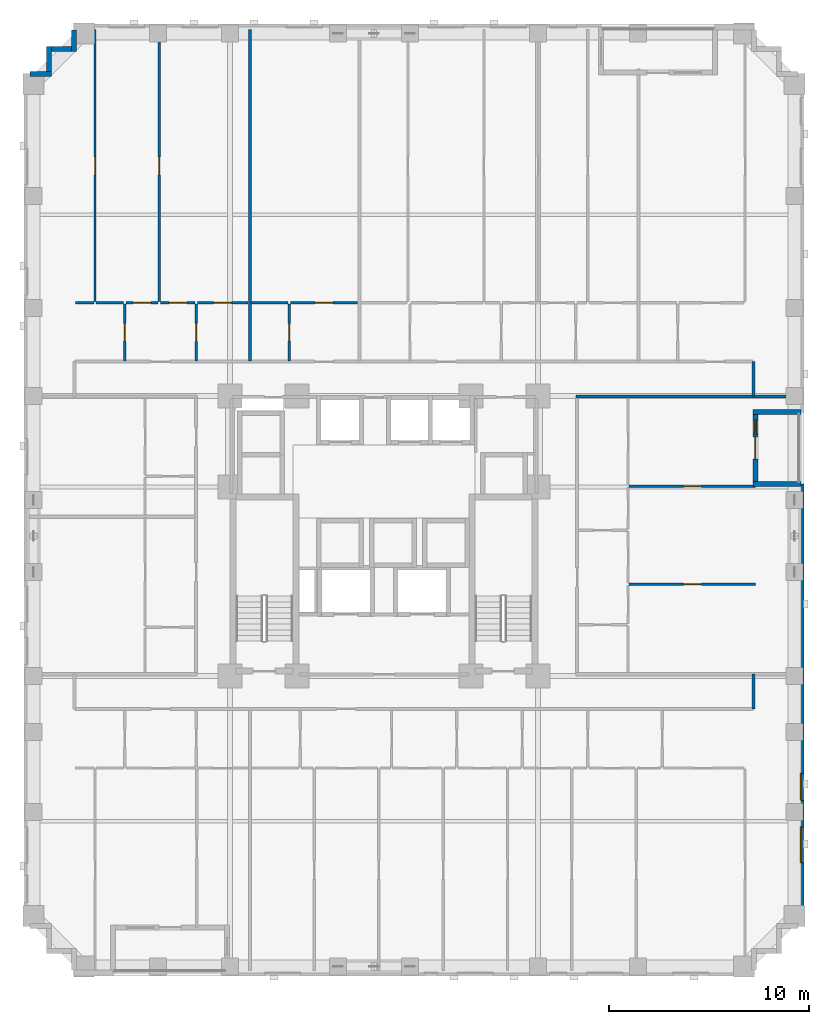
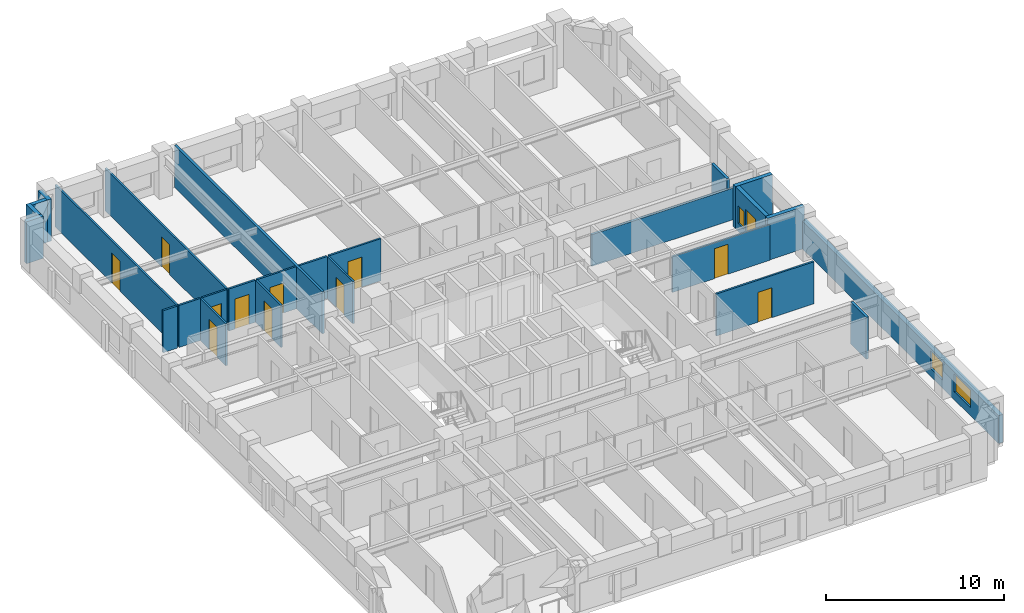
# One storey, part 7 of 14: 26 walls, 12 doors, 3 windows, 15 openings.
"""IFC4 building model written with IfcOpenShell, lengths in metres."""

from ifc_helpers import new_model, si_unit, derived_unit, direction, frame, frame_2d, origin, place, context, subcontext, project, spatial, rectangle, extrude, material, layer, layer_set, type_object, element, fill, save


model = new_model("IFC4")

# Units and contexts
model_context = context("Model", 3, precision=1e-05, world=origin(), true_north=direction((0.0, 1.0)))
body_context = subcontext(model_context, "Body", "Model", "MODEL_VIEW")
ifc_project = project(units=[si_unit("LENGTHUNIT", "METRE"), si_unit("AREAUNIT", "SQUARE_METRE"), si_unit("VOLUMEUNIT", "CUBIC_METRE"), si_unit("PLANEANGLEUNIT", "RADIAN"), si_unit("MASSUNIT", "GRAM", prefix="KILO"), derived_unit("THERMALTRANSMITTANCEUNIT", [(si_unit("MASSUNIT", "GRAM", prefix="KILO"), 1), (si_unit("TIMEUNIT", "SECOND"), -3), (si_unit("THERMODYNAMICTEMPERATUREUNIT", "KELVIN"), -1)])], contexts=[model_context])

# Site, building, storey
site_placement = place(None, origin())
site = spatial("IfcSite", under=ifc_project, at=site_placement, CompositionType="ELEMENT")
building_placement = place(site_placement, origin())
building = spatial("IfcBuilding", under=site, at=building_placement, Name="Korrvale Station Residences", CompositionType="ELEMENT")
storey_placement = place(building_placement, frame((0.0, 0.0, 67.39990234375)))
storey = spatial("IfcBuildingStorey", under=building, at=storey_placement, Name="L18", CompositionType="ELEMENT", Elevation=67.39990234375)

# Wall
ifc_material_1 = material(Name="Precast concrete C45/55", Category="concrete")
ifc_layer_1 = layer(ifc_material_1, 0.260009765625, Name="Precast concrete C45/55")
ifc_layer_set_1 = layer_set([ifc_layer_1], Name="Precast concrete C45/55")
wall_type_1 = type_object("IfcWallType", Name="WAL-EXT-LOG260", PredefinedType="SOLIDWALL", material=ifc_layer_set_1)
wall_1_placement = place(storey_placement, frame((46.340087890625, 28.199951171875, 0.0), z_axis=(0.0, 0.0, 1.0), x_axis=(-1.0, 0.0, 0.0)))
element("IfcWall", 1, at=wall_1_placement, inside=storey, type_object=wall_type_1, Name="L18 Recessed Loggia Wall BAL-L18-E1-L", PredefinedType="SOLIDWALL", context=body_context, shape_type="SweptSolid", body=[
    extrude(rectangle(XDim=2.400146484375, YDim=0.260009765625, at=frame_2d((1.2001953125, 0.0))), origin(), (0.0, 0.0, 1.0), 2.880126953125),
])

# Wall, openings, door, window
wall_2_placement = place(storey_placement, frame((44.070068359375, 28.06591796875, 0.0), z_axis=(0.0, 0.0, 1.0), x_axis=(0.0, -1.0, 0.0)))
wall_2 = element("IfcWall", 2, at=wall_2_placement, inside=storey, type_object=wall_type_1, Name="L18 Recessed Loggia Wall BAL-L18-E1-B", PredefinedType="SOLIDWALL", context=body_context, shape_type="SweptSolid", body=[
    extrude(rectangle(XDim=3.33203125, YDim=0.260009765625, at=frame_2d((1.666015625, 0.0))), origin(), (0.0, 0.0, 1.0), 2.880126953125),
])
opening_1_placement = place(wall_2_placement, frame((1.115966796875, 0.0, 0.0)))
opening_1 = element("IfcOpeningElement", 3, at=opening_1_placement, cuts=wall_2, Name="Opening BD-01", PredefinedType="OPENING", context=body_context, shape_type="SweptSolid", body=[
    extrude(rectangle(XDim=1.10009765625, YDim=2.0, at=frame_2d((0.550048828125, 1.0))), frame((0.0, 0.14013671875, 0.0), z_axis=(0.0, -1.0, 0.0), x_axis=(1.0, 0.0, 0.0)), (0.0, 0.0, 1.0), 0.280029296875),
])
opening_2_placement = place(wall_2_placement, frame((0.27587890625, 0.0, 0.550048828125)))
opening_2 = element("IfcOpeningElement", 4, at=opening_2_placement, cuts=wall_2, Name="Opening W-12", PredefinedType="OPENING", context=body_context, shape_type="SweptSolid", body=[
    extrude(rectangle(XDim=0.679931640625, YDim=1.199951171875, at=frame_2d((0.33984375, 0.60009765625))), frame((0.0, 0.14013671875, 0.0), z_axis=(0.0, -1.0, 0.0), x_axis=(1.0, 0.0, 0.0)), (0.0, 0.0, 1.0), 0.280029296875),
])
ifc_material_2 = material(Name="Exterior thermally broken aluminium glazed balcony door", Category="aluminium")
door_type_1 = type_object("IfcDoorType", Name="DR-EXT-BAL", OperationType="NOTDEFINED", PredefinedType="DOOR", material=ifc_material_2)
door_1_placement = place(opening_1_placement, origin())
door_1 = element("IfcDoor", 5, at=door_1_placement, inside=storey, type_object=door_type_1, Name="L18 Loggia Balcony Door BAL-L18-E1", OperationType="SINGLE_SWING_RIGHT", OverallHeight=2.0, OverallWidth=1.10009765625, PredefinedType="DOOR", context=body_context, shape_type="SweptSolid", body=[
    extrude(rectangle(XDim=1.10009765625, YDim=2.0, at=frame_2d((0.550048828125, 1.0))), frame((0.0, 0.02490234375, 0.0), z_axis=(0.0, -1.0, 0.0), x_axis=(1.0, 0.0, 0.0)), (0.0, 0.0, 1.0), 0.050048828125),
])
fill(opening_1, door_1)
ifc_material_3 = material(Name="Thermally broken aluminium frame with triple low-e glazing", Category="aluminium")
window_type_1 = type_object("IfcWindowType", Name="WIN-W12", PartitioningType="SINGLE_PANEL", PredefinedType="WINDOW", material=ifc_material_3)
window_1_placement = place(opening_2_placement, origin())
window_1 = element("IfcWindow", 6, at=window_1_placement, inside=storey, type_object=window_type_1, Name="L18 Punched Window 28", OverallHeight=1.199951171875, OverallWidth=0.679931640625, PartitioningType="SINGLE_PANEL", PredefinedType="WINDOW", context=body_context, shape_type="SweptSolid", body=[
    extrude(rectangle(XDim=0.679931640625, YDim=1.199951171875, at=frame_2d((0.33984375, 0.60009765625))), frame((0.0, 0.030029296875, 0.0), z_axis=(0.0, -1.0, 0.0), x_axis=(1.0, 0.0, 0.0)), (0.0, 0.0, 1.0), 0.06005859375),
])
fill(opening_2, window_1)

# Walls
wall_3_placement = place(storey_placement, frame((43.93994140625, 24.60009765625, 0.0), z_axis=(0.0, 0.0, 1.0), x_axis=(1.0, 0.0, 0.0)))
element("IfcWall", 7, at=wall_3_placement, inside=storey, type_object=wall_type_1, Name="L18 Recessed Loggia Wall BAL-L18-E1-R", PredefinedType="SOLIDWALL", context=body_context, shape_type="SweptSolid", body=[
    extrude(rectangle(XDim=2.400146484375, YDim=0.260009765625, at=frame_2d((1.2001953125, 0.0))), origin(), (0.0, 0.0, 1.0), 2.880126953125),
])
wall_4_placement = place(storey_placement, frame((7.802001953125, 45.10009765625, 0.0), z_axis=(0.0, 0.0, 1.0), x_axis=(1.0, 0.0, 0.0)))
element("IfcWall", 8, at=wall_4_placement, inside=storey, type_object=wall_type_1, Name="L18 Serrated Corner Precast Step NW-1", PredefinedType="SOLIDWALL", context=body_context, shape_type="SweptSolid", body=[
    extrude(rectangle(XDim=1.077880859375, YDim=0.260009765625, at=frame_2d((0.5390625, 0.0))), origin(), (0.0, 0.0, 1.0), 2.880126953125),
])
wall_5_placement = place(storey_placement, frame((8.75, 45.23193359375, 0.0), z_axis=(0.0, 0.0, 1.0), x_axis=(0.0, 1.0, 0.0)))
element("IfcWall", 9, at=wall_5_placement, inside=storey, type_object=wall_type_1, Name="L18 Serrated Corner Precast Step NW-2", PredefinedType="SOLIDWALL", context=body_context, shape_type="SweptSolid", body=[
    extrude(rectangle(XDim=1.248046875, YDim=0.260009765625, at=frame_2d((0.6240234375, 0.0))), origin(), (0.0, 0.0, 1.0), 2.880126953125),
])
wall_6_placement = place(storey_placement, frame((8.882080078125, 46.35009765625, 0.0), z_axis=(0.0, 0.0, 1.0), x_axis=(1.0, 0.0, 0.0)))
element("IfcWall", 10, at=wall_6_placement, inside=storey, type_object=wall_type_1, Name="L18 Serrated Corner Precast Step NW-3", PredefinedType="SOLIDWALL", context=body_context, shape_type="SweptSolid", body=[
    extrude(rectangle(XDim=0.98583984375, YDim=0.260009765625, at=frame_2d((0.492919921875, 0.0))), origin(), (0.0, 0.0, 1.0), 2.880126953125),
])
wall_7_placement = place(storey_placement, frame((10.0, 46.219970703125, 0.0), z_axis=(0.0, 0.0, 1.0), x_axis=(0.0, 1.0, 0.0)))
element("IfcWall", 11, at=wall_7_placement, inside=storey, type_object=wall_type_1, Name="L18 Serrated Corner Precast Step NW-4", PredefinedType="SOLIDWALL", context=body_context, shape_type="SweptSolid", body=[
    extrude(rectangle(XDim=1.078125, YDim=0.260009765625, at=frame_2d((0.5390625, 0.0))), origin(), (0.0, 0.0, 1.0), 2.880126953125),
])

# Wall, openings, windows
ifc_layer_2 = layer(ifc_material_1, 0.300048828125, Name="Precast concrete C45/55")
ifc_layer_set_2 = layer_set([ifc_layer_2], Name="Precast concrete C45/55")
wall_type_2 = type_object("IfcWallType", Name="WAL-EXT-PC300", PredefinedType="SOLIDWALL", material=ifc_layer_set_2)
wall_8_placement = place(storey_placement, frame((46.35009765625, 24.60009765625, 0.0), z_axis=(0.0, 0.0, 1.0), x_axis=(0.0, -1.0, 0.0)))
wall_8 = element("IfcWall", 12, at=wall_8_placement, inside=storey, type_object=wall_type_2, Name="L18 East Exterior Precast Wall 2", PredefinedType="SOLIDWALL", context=body_context, shape_type="SweptSolid", body=[
    extrude(rectangle(XDim=22.10009765625, YDim=0.300048828125, at=frame_2d((11.050048828125, 0.0))), origin(), (0.0, 0.0, 1.0), 1.9150390625),
])
opening_3_placement = place(wall_8_placement, frame((17.14111328125, 0.0, 0.550048828125)))
opening_3 = element("IfcOpeningElement", 13, at=opening_3_placement, cuts=wall_8, Name="Opening W-09", PredefinedType="OPENING", context=body_context, shape_type="SweptSolid", body=[
    extrude(rectangle(XDim=1.800048828125, YDim=1.199951171875, at=frame_2d((0.89990234375, 0.60009765625))), frame((0.0, 0.16015625, 0.0), z_axis=(0.0, -1.0, 0.0), x_axis=(1.0, 0.0, 0.0)), (0.0, 0.0, 1.0), 0.320068359375),
])
opening_4_placement = place(wall_8_placement, frame((14.465087890625, 0.0, 0.550048828125)))
opening_4 = element("IfcOpeningElement", 14, at=opening_4_placement, cuts=wall_8, Name="Opening W-10", PredefinedType="OPENING", context=body_context, shape_type="SweptSolid", body=[
    extrude(rectangle(XDim=1.35009765625, YDim=1.199951171875, at=frame_2d((0.675048828125, 0.60009765625))), frame((0.0, 0.16015625, 0.0), z_axis=(0.0, -1.0, 0.0), x_axis=(1.0, 0.0, 0.0)), (0.0, 0.0, 1.0), 0.320068359375),
])
window_type_2 = type_object("IfcWindowType", Name="WIN-W09", PartitioningType="DOUBLE_PANEL_VERTICAL", PredefinedType="WINDOW", material=ifc_material_3)
window_2_placement = place(opening_3_placement, origin())
window_2 = element("IfcWindow", 15, at=window_2_placement, inside=storey, type_object=window_type_2, Name="L18 Punched Window 11", OverallHeight=1.199951171875, OverallWidth=1.800048828125, PartitioningType="DOUBLE_PANEL_VERTICAL", PredefinedType="WINDOW", context=body_context, shape_type="SweptSolid", body=[
    extrude(rectangle(XDim=1.800048828125, YDim=1.199951171875, at=frame_2d((0.89990234375, 0.60009765625))), frame((0.0, 0.030029296875, 0.0), z_axis=(0.0, -1.0, 0.0), x_axis=(1.0, 0.0, 0.0)), (0.0, 0.0, 1.0), 0.06005859375),
])
fill(opening_3, window_2)
window_type_3 = type_object("IfcWindowType", Name="WIN-W10", PartitioningType="SINGLE_PANEL", PredefinedType="WINDOW", material=ifc_material_3)
window_3_placement = place(opening_4_placement, origin())
window_3 = element("IfcWindow", 16, at=window_3_placement, inside=storey, type_object=window_type_3, Name="L18 Punched Window 12", OverallHeight=1.199951171875, OverallWidth=1.35009765625, PartitioningType="SINGLE_PANEL", PredefinedType="WINDOW", context=body_context, shape_type="SweptSolid", body=[
    extrude(rectangle(XDim=1.35009765625, YDim=1.199951171875, at=frame_2d((0.675048828125, 0.60009765625))), frame((0.0, 0.030029296875, 0.0), z_axis=(0.0, -1.0, 0.0), x_axis=(1.0, 0.0, 0.0)), (0.0, 0.0, 1.0), 0.06005859375),
])
fill(opening_4, window_3)

# Wall, opening, door
ifc_material_4 = material(Name="Acoustic steel-stud gypsum board partition", Category="steel")
ifc_layer_3 = layer(ifc_material_4, 0.1201171875, Name="Acoustic steel-stud gypsum board partition")
ifc_layer_set_3 = layer_set([ifc_layer_3], Name="Acoustic steel-stud gypsum board partition")
wall_type_3 = type_object("IfcWallType", Name="WAL-PART-125", PredefinedType="PARTITIONING", material=ifc_layer_set_3)
wall_9_placement = place(storey_placement, frame((12.5400390625, 30.760009765625, 0.0), z_axis=(0.0, 0.0, 1.0), x_axis=(0.0, 1.0, 0.0)))
wall_9 = element("IfcWall", 17, at=wall_9_placement, inside=storey, type_object=wall_type_3, Name="L18 Suite Partition U03-V01", PredefinedType="PARTITIONING", context=body_context, shape_type="SweptSolid", body=[
    extrude(rectangle(XDim=2.85009765625, YDim=0.1201171875, at=frame_2d((1.425048828125, 0.0))), origin(), (0.0, 0.0, 1.0), 2.880126953125),
])
opening_5_placement = place(wall_9_placement, frame((0.9951171875, 0.0, 0.0)))
opening_5 = element("IfcOpeningElement", 18, at=opening_5_placement, cuts=wall_9, Name="Opening DB-860", PredefinedType="OPENING", context=body_context, shape_type="SweptSolid", body=[
    extrude(rectangle(XDim=0.860107421875, YDim=2.050048828125, at=frame_2d((0.43017578125, 1.02490234375))), frame((0.0, 0.070068359375, 0.0), z_axis=(0.0, -1.0, 0.0), x_axis=(1.0, 0.0, 0.0)), (0.0, 0.0, 1.0), 0.14013671875),
])
ifc_material_5 = material(Name="Moisture-resistant solid-core bathroom door", Category="timber")
door_type_2 = type_object("IfcDoorType", Name="DR-BATH-860", OperationType="NOTDEFINED", PredefinedType="DOOR", material=ifc_material_5)
door_2_placement = place(opening_5_placement, origin())
door_2 = element("IfcDoor", 19, at=door_2_placement, inside=storey, type_object=door_type_2, Name="L18 Studio Apartment L18-U03 Bathroom Door", OperationType="SINGLE_SWING_LEFT", OverallHeight=2.050048828125, OverallWidth=0.860107421875, PredefinedType="DOOR", context=body_context, shape_type="SweptSolid", body=[
    extrude(rectangle(XDim=0.860107421875, YDim=2.050048828125, at=frame_2d((0.43017578125, 1.02490234375))), frame((0.0, 0.02490234375, 0.0), z_axis=(0.0, -1.0, 0.0), x_axis=(1.0, 0.0, 0.0)), (0.0, 0.0, 1.0), 0.050048828125),
])
fill(opening_5, door_2)

# Walls
wall_10_placement = place(storey_placement, frame((10.080078125, 33.669921875, 0.0), z_axis=(0.0, 0.0, 1.0), x_axis=(1.0, 0.0, 0.0)))
element("IfcWall", 20, at=wall_10_placement, inside=storey, type_object=wall_type_3, Name="L18 Suite Partition U03-H03", PredefinedType="PARTITIONING", context=body_context, shape_type="SweptSolid", body=[
    extrude(rectangle(XDim=0.909912109375, YDim=0.1201171875, at=frame_2d((0.455078125, 0.0))), origin(), (0.0, 0.0, 1.0), 2.880126953125),
])
wall_11_placement = place(storey_placement, frame((11.110107421875, 33.669921875, 0.0), z_axis=(0.0, 0.0, 1.0), x_axis=(1.0, 0.0, 0.0)))
element("IfcWall", 21, at=wall_11_placement, inside=storey, type_object=wall_type_3, Name="L18 Suite Partition U03-H04", PredefinedType="PARTITIONING", context=body_context, shape_type="SweptSolid", body=[
    extrude(rectangle(XDim=1.369873046875, YDim=0.1201171875, at=frame_2d((0.68505859375, 0.0))), origin(), (0.0, 0.0, 1.0), 2.880126953125),
])

# Wall, opening, door
wall_12_placement = place(storey_placement, frame((16.110107421875, 30.760009765625, 0.0), z_axis=(0.0, 0.0, 1.0), x_axis=(0.0, 1.0, 0.0)))
wall_12 = element("IfcWall", 22, at=wall_12_placement, inside=storey, type_object=wall_type_3, Name="L18 Suite Partition U03-V12", PredefinedType="PARTITIONING", context=body_context, shape_type="SweptSolid", body=[
    extrude(rectangle(XDim=2.85009765625, YDim=0.1201171875, at=frame_2d((1.425048828125, 0.0))), origin(), (0.0, 0.0, 1.0), 2.880126953125),
])
opening_6_placement = place(wall_12_placement, frame((0.97509765625, 0.0, 0.0)))
opening_6 = element("IfcOpeningElement", 23, at=opening_6_placement, cuts=wall_12, Name="Opening DI-900", PredefinedType="OPENING", context=body_context, shape_type="SweptSolid", body=[
    extrude(rectangle(XDim=0.89990234375, YDim=2.050048828125, at=frame_2d((0.449951171875, 1.02490234375))), frame((0.0, 0.070068359375, 0.0), z_axis=(0.0, -1.0, 0.0), x_axis=(1.0, 0.0, 0.0)), (0.0, 0.0, 1.0), 0.14013671875),
])
ifc_material_6 = material(Name="Painted solid-core timber interior room door", Category="wood")
door_type_3 = type_object("IfcDoorType", Name="DR-INT-900", OperationType="NOTDEFINED", PredefinedType="DOOR", material=ifc_material_6)
door_3_placement = place(opening_6_placement, origin())
door_3 = element("IfcDoor", 24, at=door_3_placement, inside=storey, type_object=door_type_3, Name="L18 Studio Apartment L18-U03 Kitchen Door", OperationType="SINGLE_SWING_RIGHT", OverallHeight=2.050048828125, OverallWidth=0.89990234375, PredefinedType="DOOR", context=body_context, shape_type="SweptSolid", body=[
    extrude(rectangle(XDim=0.89990234375, YDim=2.050048828125, at=frame_2d((0.449951171875, 1.02490234375))), frame((0.0, 0.02490234375, 0.0), z_axis=(0.0, -1.0, 0.0), x_axis=(1.0, 0.0, 0.0)), (0.0, 0.0, 1.0), 0.050048828125),
])
fill(opening_6, door_3)

wall_13_placement = place(storey_placement, frame((12.60009765625, 33.669921875, 0.0), z_axis=(0.0, 0.0, 1.0), x_axis=(1.0, 0.0, 0.0)))
wall_13 = element("IfcWall", 25, at=wall_13_placement, inside=storey, type_object=wall_type_3, Name="L18 Suite Partition U03-H14", PredefinedType="PARTITIONING", context=body_context, shape_type="SweptSolid", body=[
    extrude(rectangle(XDim=1.60986328125, YDim=0.1201171875, at=frame_2d((0.804931640625, 0.0))), origin(), (0.0, 0.0, 1.0), 2.880126953125),
])
opening_7_placement = place(wall_13_placement, frame((0.35498046875, 0.0, 0.0)))
opening_7 = element("IfcOpeningElement", 26, at=opening_7_placement, cuts=wall_13, Name="Opening DI-900", PredefinedType="OPENING", context=body_context, shape_type="SweptSolid", body=[
    extrude(rectangle(XDim=0.89990234375, YDim=2.050048828125, at=frame_2d((0.449951171875, 1.02490234375))), frame((0.0, 0.070068359375, 0.0), z_axis=(0.0, -1.0, 0.0), x_axis=(1.0, 0.0, 0.0)), (0.0, 0.0, 1.0), 0.14013671875),
])
door_4_placement = place(opening_7_placement, origin())
door_4 = element("IfcDoor", 27, at=door_4_placement, inside=storey, type_object=door_type_3, Name="L18 Studio Apartment L18-U03 Kitchen Door", OperationType="SINGLE_SWING_LEFT", OverallHeight=2.050048828125, OverallWidth=0.89990234375, PredefinedType="DOOR", context=body_context, shape_type="SweptSolid", body=[
    extrude(rectangle(XDim=0.89990234375, YDim=2.050048828125, at=frame_2d((0.449951171875, 1.02490234375))), frame((0.0, 0.02490234375, 0.0), z_axis=(0.0, -1.0, 0.0), x_axis=(1.0, 0.0, 0.0)), (0.0, 0.0, 1.0), 0.050048828125),
])
fill(opening_7, door_4)

wall_14_placement = place(storey_placement, frame((14.330078125, 33.669921875, 0.0), z_axis=(0.0, 0.0, 1.0), x_axis=(1.0, 0.0, 0.0)))
wall_14 = element("IfcWall", 28, at=wall_14_placement, inside=storey, type_object=wall_type_3, Name="L18 Suite Partition U03-H15", PredefinedType="PARTITIONING", context=body_context, shape_type="SweptSolid", body=[
    extrude(rectangle(XDim=1.719970703125, YDim=0.1201171875, at=frame_2d((0.85986328125, 0.0))), origin(), (0.0, 0.0, 1.0), 2.880126953125),
])
opening_8_placement = place(wall_14_placement, frame((0.409912109375, 0.0, 0.0)))
opening_8 = element("IfcOpeningElement", 29, at=opening_8_placement, cuts=wall_14, Name="Opening DI-900", PredefinedType="OPENING", context=body_context, shape_type="SweptSolid", body=[
    extrude(rectangle(XDim=0.89990234375, YDim=2.050048828125, at=frame_2d((0.449951171875, 1.02490234375))), frame((0.0, 0.070068359375, 0.0), z_axis=(0.0, -1.0, 0.0), x_axis=(1.0, 0.0, 0.0)), (0.0, 0.0, 1.0), 0.14013671875),
])
door_5_placement = place(opening_8_placement, origin())
door_5 = element("IfcDoor", 30, at=door_5_placement, inside=storey, type_object=door_type_3, Name="L18 Studio Apartment L18-U03 Kitchen Door", OperationType="SINGLE_SWING_RIGHT", OverallHeight=2.050048828125, OverallWidth=0.89990234375, PredefinedType="DOOR", context=body_context, shape_type="SweptSolid", body=[
    extrude(rectangle(XDim=0.89990234375, YDim=2.050048828125, at=frame_2d((0.449951171875, 1.02490234375))), frame((0.0, 0.02490234375, 0.0), z_axis=(0.0, -1.0, 0.0), x_axis=(1.0, 0.0, 0.0)), (0.0, 0.0, 1.0), 0.050048828125),
])
fill(opening_8, door_5)

wall_15_placement = place(storey_placement, frame((16.169921875, 33.669921875, 0.0), z_axis=(0.0, 0.0, 1.0), x_axis=(1.0, 0.0, 0.0)))
wall_15 = element("IfcWall", 31, at=wall_15_placement, inside=storey, type_object=wall_type_3, Name="L18 Suite Partition U03-H25", PredefinedType="PARTITIONING", context=body_context, shape_type="SweptSolid", body=[
    extrude(rectangle(XDim=2.526123046875, YDim=0.1201171875, at=frame_2d((1.26318359375, 0.0))), origin(), (0.0, 0.0, 1.0), 2.880126953125),
])
opening_9_placement = place(wall_15_placement, frame((0.81298828125, 0.0, 0.0)))
opening_9 = element("IfcOpeningElement", 32, at=opening_9_placement, cuts=wall_15, Name="Opening DI-900", PredefinedType="OPENING", context=body_context, shape_type="SweptSolid", body=[
    extrude(rectangle(XDim=0.89990234375, YDim=2.050048828125, at=frame_2d((0.449951171875, 1.02490234375))), frame((0.0, 0.070068359375, 0.0), z_axis=(0.0, -1.0, 0.0), x_axis=(1.0, 0.0, 0.0)), (0.0, 0.0, 1.0), 0.14013671875),
])
door_6_placement = place(opening_9_placement, origin())
door_6 = element("IfcDoor", 33, at=door_6_placement, inside=storey, type_object=door_type_3, Name="L18 Studio Apartment L18-U03 Utility and Laundry Room Door", OperationType="SINGLE_SWING_LEFT", OverallHeight=2.050048828125, OverallWidth=0.89990234375, PredefinedType="DOOR", context=body_context, shape_type="SweptSolid", body=[
    extrude(rectangle(XDim=0.89990234375, YDim=2.050048828125, at=frame_2d((0.449951171875, 1.02490234375))), frame((0.0, 0.02490234375, 0.0), z_axis=(0.0, -1.0, 0.0), x_axis=(1.0, 0.0, 0.0)), (0.0, 0.0, 1.0), 0.050048828125),
])
fill(opening_9, door_6)

wall_16_placement = place(storey_placement, frame((11.050048828125, 33.72998046875, 0.0), z_axis=(0.0, 0.0, 1.0), x_axis=(0.0, 1.0, 0.0)))
wall_16 = element("IfcWall", 34, at=wall_16_placement, inside=storey, type_object=wall_type_3, Name="L18 Suite Partition U03-V34", PredefinedType="PARTITIONING", context=body_context, shape_type="SweptSolid", body=[
    extrude(rectangle(XDim=13.590087890625, YDim=0.1201171875, at=frame_2d((6.794921875, 0.0))), origin(), (0.0, 0.0, 1.0), 2.880126953125),
])
opening_10_placement = place(wall_16_placement, frame((6.330078125, 0.0, 0.0)))
opening_10 = element("IfcOpeningElement", 35, at=opening_10_placement, cuts=wall_16, Name="Opening DI-900", PredefinedType="OPENING", context=body_context, shape_type="SweptSolid", body=[
    extrude(rectangle(XDim=0.89990234375, YDim=2.050048828125, at=frame_2d((0.449951171875, 1.02490234375))), frame((0.0, 0.070068359375, 0.0), z_axis=(0.0, -1.0, 0.0), x_axis=(1.0, 0.0, 0.0)), (0.0, 0.0, 1.0), 0.14013671875),
])
door_7_placement = place(opening_10_placement, origin())
door_7 = element("IfcDoor", 36, at=door_7_placement, inside=storey, type_object=door_type_3, Name="L18 Studio Apartment L18-U03 Walk-In Wardrobe Door", OperationType="SINGLE_SWING_RIGHT", OverallHeight=2.050048828125, OverallWidth=0.89990234375, PredefinedType="DOOR", context=body_context, shape_type="SweptSolid", body=[
    extrude(rectangle(XDim=0.89990234375, YDim=2.050048828125, at=frame_2d((0.449951171875, 1.02490234375))), frame((0.0, 0.02490234375, 0.0), z_axis=(0.0, -1.0, 0.0), x_axis=(1.0, 0.0, 0.0)), (0.0, 0.0, 1.0), 0.050048828125),
])
fill(opening_10, door_7)

wall_17_placement = place(storey_placement, frame((14.27001953125, 33.72998046875, 0.0), z_axis=(0.0, 0.0, 1.0), x_axis=(0.0, 1.0, 0.0)))
wall_17 = element("IfcWall", 37, at=wall_17_placement, inside=storey, type_object=wall_type_3, Name="L18 Suite Partition U03-V45", PredefinedType="PARTITIONING", context=body_context, shape_type="SweptSolid", body=[
    extrude(rectangle(XDim=13.590087890625, YDim=0.1201171875, at=frame_2d((6.794921875, 0.0))), origin(), (0.0, 0.0, 1.0), 2.880126953125),
])
opening_11_placement = place(wall_17_placement, frame((6.330078125, 0.0, 0.0)))
opening_11 = element("IfcOpeningElement", 38, at=opening_11_placement, cuts=wall_17, Name="Opening DI-900", PredefinedType="OPENING", context=body_context, shape_type="SweptSolid", body=[
    extrude(rectangle(XDim=0.89990234375, YDim=2.050048828125, at=frame_2d((0.449951171875, 1.02490234375))), frame((0.0, 0.070068359375, 0.0), z_axis=(0.0, -1.0, 0.0), x_axis=(1.0, 0.0, 0.0)), (0.0, 0.0, 1.0), 0.14013671875),
])
door_8_placement = place(opening_11_placement, origin())
door_8 = element("IfcDoor", 39, at=door_8_placement, inside=storey, type_object=door_type_3, Name="L18 Studio Apartment L18-U03 Walk-In Wardrobe Door", OperationType="SINGLE_SWING_LEFT", OverallHeight=2.050048828125, OverallWidth=0.89990234375, PredefinedType="DOOR", context=body_context, shape_type="SweptSolid", body=[
    extrude(rectangle(XDim=0.89990234375, YDim=2.050048828125, at=frame_2d((0.449951171875, 1.02490234375))), frame((0.0, 0.02490234375, 0.0), z_axis=(0.0, -1.0, 0.0), x_axis=(1.0, 0.0, 0.0)), (0.0, 0.0, 1.0), 0.050048828125),
])
fill(opening_11, door_8)

wall_18_placement = place(storey_placement, frame((20.76611328125, 30.760009765625, 0.0), z_axis=(0.0, 0.0, 1.0), x_axis=(0.0, 1.0, 0.0)))
wall_18 = element("IfcWall", 40, at=wall_18_placement, inside=storey, type_object=wall_type_3, Name="L18 Suite Partition U04-V01", PredefinedType="PARTITIONING", context=body_context, shape_type="SweptSolid", body=[
    extrude(rectangle(XDim=2.85009765625, YDim=0.1201171875, at=frame_2d((1.425048828125, 0.0))), origin(), (0.0, 0.0, 1.0), 2.880126953125),
])
opening_12_placement = place(wall_18_placement, frame((0.9951171875, 0.0, 0.0)))
opening_12 = element("IfcOpeningElement", 41, at=opening_12_placement, cuts=wall_18, Name="Opening DB-860", PredefinedType="OPENING", context=body_context, shape_type="SweptSolid", body=[
    extrude(rectangle(XDim=0.860107421875, YDim=2.050048828125, at=frame_2d((0.43017578125, 1.02490234375))), frame((0.0, 0.070068359375, 0.0), z_axis=(0.0, -1.0, 0.0), x_axis=(1.0, 0.0, 0.0)), (0.0, 0.0, 1.0), 0.14013671875),
])
door_9_placement = place(opening_12_placement, origin())
door_9 = element("IfcDoor", 42, at=door_9_placement, inside=storey, type_object=door_type_2, Name="L18 Studio Apartment L18-U04 Bathroom Door", OperationType="SINGLE_SWING_RIGHT", OverallHeight=2.050048828125, OverallWidth=0.860107421875, PredefinedType="DOOR", context=body_context, shape_type="SweptSolid", body=[
    extrude(rectangle(XDim=0.860107421875, YDim=2.050048828125, at=frame_2d((0.43017578125, 1.02490234375))), frame((0.0, 0.02490234375, 0.0), z_axis=(0.0, -1.0, 0.0), x_axis=(1.0, 0.0, 0.0)), (0.0, 0.0, 1.0), 0.050048828125),
])
fill(opening_12, door_9)

# Wall
wall_19_placement = place(storey_placement, frame((18.85595703125, 33.669921875, 0.0), z_axis=(0.0, 0.0, 1.0), x_axis=(1.0, 0.0, 0.0)))
element("IfcWall", 43, at=wall_19_placement, inside=storey, type_object=wall_type_3, Name="L18 Suite Partition U04-H02", PredefinedType="PARTITIONING", context=body_context, shape_type="SweptSolid", body=[
    extrude(rectangle(XDim=1.85009765625, YDim=0.1201171875, at=frame_2d((0.925048828125, 0.0))), origin(), (0.0, 0.0, 1.0), 2.880126953125),
])

# Wall, opening, door
wall_20_placement = place(storey_placement, frame((20.825927734375, 33.669921875, 0.0), z_axis=(0.0, 0.0, 1.0), x_axis=(1.0, 0.0, 0.0)))
wall_20 = element("IfcWall", 44, at=wall_20_placement, inside=storey, type_object=wall_type_3, Name="L18 Suite Partition U04-H12", PredefinedType="PARTITIONING", context=body_context, shape_type="SweptSolid", body=[
    extrude(rectangle(XDim=3.35302734375, YDim=0.1201171875, at=frame_2d((1.676513671875, 0.0))), origin(), (0.0, 0.0, 1.0), 2.880126953125),
])
opening_13_placement = place(wall_20_placement, frame((1.22607421875, 0.0, 0.0)))
opening_13 = element("IfcOpeningElement", 45, at=opening_13_placement, cuts=wall_20, Name="Opening DI-900", PredefinedType="OPENING", context=body_context, shape_type="SweptSolid", body=[
    extrude(rectangle(XDim=0.89990234375, YDim=2.050048828125, at=frame_2d((0.449951171875, 1.02490234375))), frame((0.0, 0.070068359375, 0.0), z_axis=(0.0, -1.0, 0.0), x_axis=(1.0, 0.0, 0.0)), (0.0, 0.0, 1.0), 0.14013671875),
])
door_10_placement = place(opening_13_placement, origin())
door_10 = element("IfcDoor", 46, at=door_10_placement, inside=storey, type_object=door_type_3, Name="L18 Studio Apartment L18-U04 Kitchen Door", OperationType="SINGLE_SWING_LEFT", OverallHeight=2.050048828125, OverallWidth=0.89990234375, PredefinedType="DOOR", context=body_context, shape_type="SweptSolid", body=[
    extrude(rectangle(XDim=0.89990234375, YDim=2.050048828125, at=frame_2d((0.449951171875, 1.02490234375))), frame((0.0, 0.02490234375, 0.0), z_axis=(0.0, -1.0, 0.0), x_axis=(1.0, 0.0, 0.0)), (0.0, 0.0, 1.0), 0.050048828125),
])
fill(opening_13, door_10)

wall_21_placement = place(storey_placement, frame((37.760009765625, 19.577880859375, 0.0), z_axis=(0.0, 0.0, 1.0), x_axis=(1.0, 0.0, 0.0)))
wall_21 = element("IfcWall", 47, at=wall_21_placement, inside=storey, type_object=wall_type_3, Name="L18 Suite Partition U09-H34", PredefinedType="PARTITIONING", context=body_context, shape_type="SweptSolid", body=[
    extrude(rectangle(XDim=6.31005859375, YDim=0.1201171875, at=frame_2d((3.155029296875, 0.0))), origin(), (0.0, 0.0, 1.0), 2.880126953125),
])
opening_14_placement = place(wall_21_placement, frame((2.705078125, 0.0, 0.0)))
opening_14 = element("IfcOpeningElement", 48, at=opening_14_placement, cuts=wall_21, Name="Opening DI-900", PredefinedType="OPENING", context=body_context, shape_type="SweptSolid", body=[
    extrude(rectangle(XDim=0.89990234375, YDim=2.050048828125, at=frame_2d((0.449951171875, 1.02490234375))), frame((0.0, 0.070068359375, 0.0), z_axis=(0.0, -1.0, 0.0), x_axis=(1.0, 0.0, 0.0)), (0.0, 0.0, 1.0), 0.14013671875),
])
door_11_placement = place(opening_14_placement, origin())
door_11 = element("IfcDoor", 49, at=door_11_placement, inside=storey, type_object=door_type_3, Name="L18 Apartment 2BR L18-U09 Bedroom 1 Door", OperationType="SINGLE_SWING_RIGHT", OverallHeight=2.050048828125, OverallWidth=0.89990234375, PredefinedType="DOOR", context=body_context, shape_type="SweptSolid", body=[
    extrude(rectangle(XDim=0.89990234375, YDim=2.050048828125, at=frame_2d((0.449951171875, 1.02490234375))), frame((0.0, 0.02490234375, 0.0), z_axis=(0.0, -1.0, 0.0), x_axis=(1.0, 0.0, 0.0)), (0.0, 0.0, 1.0), 0.050048828125),
])
fill(opening_14, door_11)

wall_22_placement = place(storey_placement, frame((37.760009765625, 24.491943359375, 0.0), z_axis=(0.0, 0.0, 1.0), x_axis=(1.0, 0.0, 0.0)))
wall_22 = element("IfcWall", 50, at=wall_22_placement, inside=storey, type_object=wall_type_3, Name="L18 Suite Partition U09-H45", PredefinedType="PARTITIONING", context=body_context, shape_type="SweptSolid", body=[
    extrude(rectangle(XDim=6.31005859375, YDim=0.1201171875, at=frame_2d((3.155029296875, 0.0))), origin(), (0.0, 0.0, 1.0), 2.447998046875),
])
opening_15_placement = place(wall_22_placement, frame((2.705078125, 0.0, 0.0)))
opening_15 = element("IfcOpeningElement", 51, at=opening_15_placement, cuts=wall_22, Name="Opening DI-900", PredefinedType="OPENING", context=body_context, shape_type="SweptSolid", body=[
    extrude(rectangle(XDim=0.89990234375, YDim=2.050048828125, at=frame_2d((0.449951171875, 1.02490234375))), frame((0.0, 0.070068359375, 0.0), z_axis=(0.0, -1.0, 0.0), x_axis=(1.0, 0.0, 0.0)), (0.0, 0.0, 1.0), 0.14013671875),
])
door_12_placement = place(opening_15_placement, origin())
door_12 = element("IfcDoor", 52, at=door_12_placement, inside=storey, type_object=door_type_3, Name="L18 Apartment 2BR L18-U09 Living and Dining Room Door", OperationType="SINGLE_SWING_LEFT", OverallHeight=2.050048828125, OverallWidth=0.89990234375, PredefinedType="DOOR", context=body_context, shape_type="SweptSolid", body=[
    extrude(rectangle(XDim=0.89990234375, YDim=2.050048828125, at=frame_2d((0.449951171875, 1.02490234375))), frame((0.0, 0.02490234375, 0.0), z_axis=(0.0, -1.0, 0.0), x_axis=(1.0, 0.0, 0.0)), (0.0, 0.0, 1.0), 0.050048828125),
])
fill(opening_15, door_12)

# Walls
ifc_material_7 = material(Name="Fire-rated twin-stud gypsum and mineral wool shaftwall assembly", Category="gypsum")
ifc_layer_4 = layer(ifc_material_7, 0.159912109375, Name="Fire-rated twin-stud gypsum and mineral wool shaftwall assembly")
ifc_layer_set_4 = layer_set([ifc_layer_4], Name="Fire-rated twin-stud gypsum and mineral wool shaftwall assembly")
wall_type_4 = type_object("IfcWallType", Name="WAL-PART-200", PredefinedType="PARTITIONING", material=ifc_layer_set_4)
for number, where, z_axis, x_axis, name in (
    (53, (43.97998046875, 13.35009765625, 0.0), (0.0, 0.0, 1.0), (0.0, 1.0, 0.0), "L18 Corridor South East Cap"),
    (54, (43.97998046875, 28.97998046875, 0.0), (0.0, 0.0, 1.0), (0.0, 1.0, 0.0), "L18 Corridor North East Cap"),
):
    element("IfcWall", number, at=place(storey_placement, frame(where, z_axis=z_axis, x_axis=x_axis)), inside=storey, type_object=wall_type_4, Name=name, PredefinedType="PARTITIONING", context=body_context, shape_type="SweptSolid", body=[
        extrude(rectangle(XDim=1.739990234375, YDim=0.159912109375, at=frame_2d((0.8701171875, 0.0))), origin(), (0.0, 0.0, 1.0), 2.880126953125),
    ])
wall_23_placement = place(storey_placement, frame((35.110107421875, 28.97998046875, 0.0), z_axis=(0.0, 0.0, 1.0), x_axis=(1.0, 0.0, 0.0)))
element("IfcWall", 55, at=wall_23_placement, inside=storey, type_object=wall_type_4, Name="L18 East Wing North Corridor Wall", PredefinedType="PARTITIONING", context=body_context, shape_type="SweptSolid", body=[
    extrude(rectangle(XDim=11.10986328125, YDim=0.159912109375, at=frame_2d((5.554931640625, 0.0))), origin(), (0.0, 0.0, 1.0), 2.172119140625),
])
wall_24_placement = place(storey_placement, frame((18.7958984375, 30.760009765625, 0.0), z_axis=(0.0, 0.0, 1.0), x_axis=(0.0, 1.0, 0.0)))
element("IfcWall", 56, at=wall_24_placement, inside=storey, type_object=wall_type_4, Name="L18 Demising Wall U04-W", PredefinedType="PARTITIONING", context=body_context, shape_type="SweptSolid", body=[
    extrude(rectangle(XDim=16.56005859375, YDim=0.159912109375, at=frame_2d((8.280029296875, 0.0))), origin(), (0.0, 0.0, 1.0), 2.880126953125),
])

save(model, "model.ifc")
